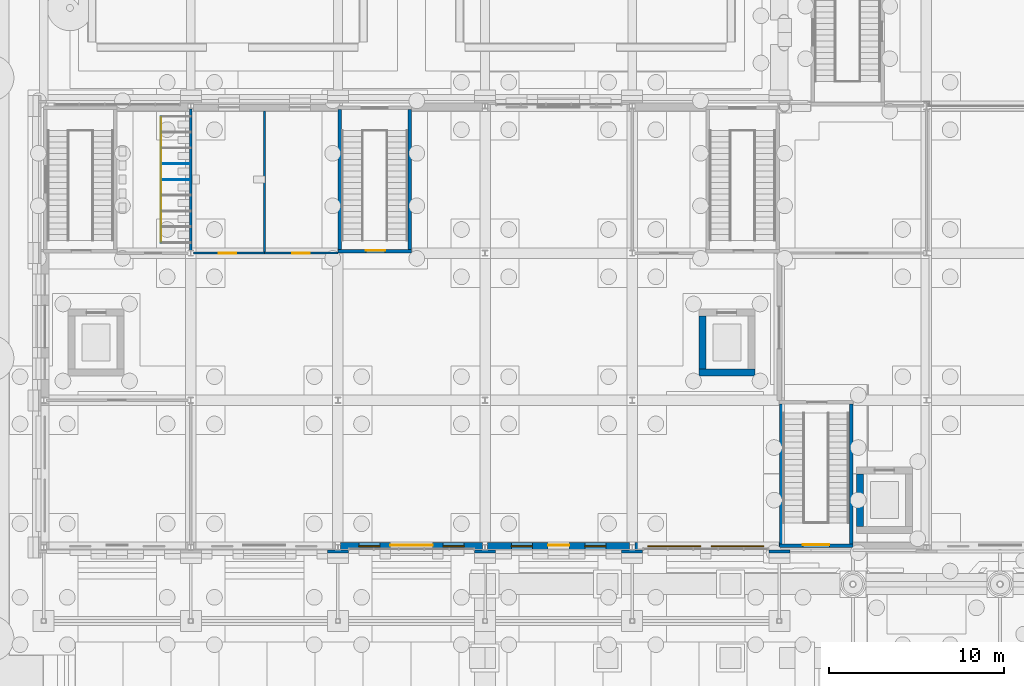
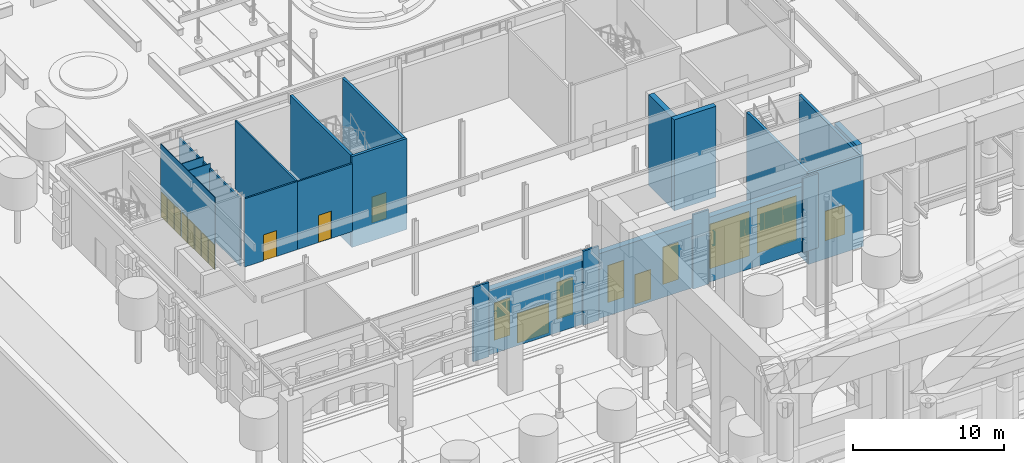
# One storey, part 89 of 222: 23 walls, 14 doors, 6 windows, 20 openings.
"""IFC4 building model written with IfcOpenShell, lengths in metres."""

from ifc_helpers import new_model, si_unit, direction, frame, frame_2d, origin, place, context, subcontext, project, spatial, rectangle, extrude, material, layer, layer_set, type_object, element, fill, save


model = new_model("IFC4")

# Units and contexts
model_context = context("Model", 3, precision=1e-05, world=origin(), true_north=direction((0.0, 1.0)))
body_context = subcontext(model_context, "Body", "Model", "MODEL_VIEW")
ifc_project = project(units=[si_unit("LENGTHUNIT", "METRE"), si_unit("AREAUNIT", "SQUARE_METRE"), si_unit("VOLUMEUNIT", "CUBIC_METRE"), si_unit("PLANEANGLEUNIT", "RADIAN"), si_unit("MASSUNIT", "GRAM", prefix="KILO")], contexts=[model_context])

# Site, building, storey
site_placement = place(None, origin())
site = spatial("IfcSite", under=ifc_project, at=site_placement, CompositionType="ELEMENT")
building_placement = place(site_placement, origin())
building = spatial("IfcBuilding", under=site, at=building_placement, Name="Sava Quay Ferry Terminal", CompositionType="ELEMENT")
storey_placement = place(building_placement, origin())
storey = spatial("IfcBuildingStorey", under=building, at=storey_placement, Name="L00", CompositionType="ELEMENT", Elevation=0.0)

# Wall, openings, doors
ifc_material_1 = material(Name="High-pressure laminate panel")
ifc_layer_1 = layer(ifc_material_1, 0.050048828125)
ifc_layer_set_1 = layer_set([ifc_layer_1], Name="High-pressure laminate panel")
wall_type_1 = type_object("IfcWallType", Name="Cubicle partition 50", PredefinedType="PARTITIONING", material=ifc_layer_set_1)
wall_1_placement = place(storey_placement, frame((6.699951171875, 42.60009765625, 0.0), z_axis=(0.0, 0.0, 1.0), x_axis=(0.0, 1.0, 0.0)))
wall_1 = element("IfcWall", 1, at=wall_1_placement, inside=storey, type_object=wall_type_1, Name="Cubicle partition panel", PredefinedType="PARTITIONING", context=body_context, shape_type="SweptSolid", body=[
    extrude(rectangle(XDim=7.199951171875, YDim=0.050048828125, at=frame_2d((3.60009765625, 0.0))), origin(), (0.0, 0.0, 1.0), 5.8701171875),
])
opening_1_placement = place(wall_1_placement, frame((0.050048828125, 0.0, 0.0)))
opening_1 = element("IfcOpeningElement", 2, at=opening_1_placement, cuts=wall_1, Name="Opening CD005", PredefinedType="OPENING", context=body_context, shape_type="SweptSolid", body=[
    extrude(rectangle(XDim=0.800048828125, YDim=2.0, at=frame_2d((0.39990234375, 1.0))), frame((0.0, 0.02490234375, 0.0), z_axis=(0.0, -1.0, 0.0), x_axis=(1.0, 0.0, 0.0)), (0.0, 0.0, 1.0), 0.050048828125),
])
opening_2_placement = place(wall_1_placement, frame((0.949951171875, 0.0, 0.0)))
opening_2 = element("IfcOpeningElement", 3, at=opening_2_placement, cuts=wall_1, Name="Opening CD006", PredefinedType="OPENING", context=body_context, shape_type="SweptSolid", body=[
    extrude(rectangle(XDim=0.800048828125, YDim=2.0, at=frame_2d((0.39990234375, 1.0))), frame((0.0, 0.02490234375, 0.0), z_axis=(0.0, -1.0, 0.0), x_axis=(1.0, 0.0, 0.0)), (0.0, 0.0, 1.0), 0.050048828125),
])
opening_3_placement = place(wall_1_placement, frame((1.85009765625, 0.0, 0.0)))
opening_3 = element("IfcOpeningElement", 4, at=opening_3_placement, cuts=wall_1, Name="Opening CD007", PredefinedType="OPENING", context=body_context, shape_type="SweptSolid", body=[
    extrude(rectangle(XDim=0.800048828125, YDim=2.0, at=frame_2d((0.39990234375, 1.0))), frame((0.0, 0.02490234375, 0.0), z_axis=(0.0, -1.0, 0.0), x_axis=(1.0, 0.0, 0.0)), (0.0, 0.0, 1.0), 0.050048828125),
])
opening_4_placement = place(wall_1_placement, frame((2.75, 0.0, 0.0)))
opening_4 = element("IfcOpeningElement", 5, at=opening_4_placement, cuts=wall_1, Name="Opening CD008", PredefinedType="OPENING", context=body_context, shape_type="SweptSolid", body=[
    extrude(rectangle(XDim=0.800048828125, YDim=2.0, at=frame_2d((0.39990234375, 1.0))), frame((0.0, 0.02490234375, 0.0), z_axis=(0.0, -1.0, 0.0), x_axis=(1.0, 0.0, 0.0)), (0.0, 0.0, 1.0), 0.050048828125),
])
opening_5_placement = place(wall_1_placement, frame((3.64990234375, 0.0, 0.0)))
opening_5 = element("IfcOpeningElement", 6, at=opening_5_placement, cuts=wall_1, Name="Opening CD009", PredefinedType="OPENING", context=body_context, shape_type="SweptSolid", body=[
    extrude(rectangle(XDim=0.800048828125, YDim=2.0, at=frame_2d((0.39990234375, 1.0))), frame((0.0, 0.02490234375, 0.0), z_axis=(0.0, -1.0, 0.0), x_axis=(1.0, 0.0, 0.0)), (0.0, 0.0, 1.0), 0.050048828125),
])
opening_6_placement = place(wall_1_placement, frame((4.550048828125, 0.0, 0.0)))
opening_6 = element("IfcOpeningElement", 7, at=opening_6_placement, cuts=wall_1, Name="Opening CD010", PredefinedType="OPENING", context=body_context, shape_type="SweptSolid", body=[
    extrude(rectangle(XDim=0.800048828125, YDim=2.0, at=frame_2d((0.39990234375, 1.0))), frame((0.0, 0.02490234375, 0.0), z_axis=(0.0, -1.0, 0.0), x_axis=(1.0, 0.0, 0.0)), (0.0, 0.0, 1.0), 0.050048828125),
])
opening_7_placement = place(wall_1_placement, frame((5.449951171875, 0.0, 0.0)))
opening_7 = element("IfcOpeningElement", 8, at=opening_7_placement, cuts=wall_1, Name="Opening CD011", PredefinedType="OPENING", context=body_context, shape_type="SweptSolid", body=[
    extrude(rectangle(XDim=0.800048828125, YDim=2.0, at=frame_2d((0.39990234375, 1.0))), frame((0.0, 0.02490234375, 0.0), z_axis=(0.0, -1.0, 0.0), x_axis=(1.0, 0.0, 0.0)), (0.0, 0.0, 1.0), 0.050048828125),
])
opening_8_placement = place(wall_1_placement, frame((6.35009765625, 0.0, 0.0)))
opening_8 = element("IfcOpeningElement", 9, at=opening_8_placement, cuts=wall_1, Name="Opening CD012", PredefinedType="OPENING", context=body_context, shape_type="SweptSolid", body=[
    extrude(rectangle(XDim=0.800048828125, YDim=2.0, at=frame_2d((0.39990234375, 1.0))), frame((0.0, 0.02490234375, 0.0), z_axis=(0.0, -1.0, 0.0), x_axis=(1.0, 0.0, 0.0)), (0.0, 0.0, 1.0), 0.050048828125),
])
ifc_material_2 = material(Name="Laminate door set")
door_type_1 = type_object("IfcDoorType", Name="Cubicle door 800 x 2000", OperationType="NOTDEFINED", PredefinedType="DOOR", material=ifc_material_2)
door_1_placement = place(opening_1_placement, origin())
door_1 = element("IfcDoor", 10, at=door_1_placement, inside=storey, type_object=door_type_1, Name="Cubicle door", OperationType="SINGLE_SWING_RIGHT", OverallHeight=2.0, OverallWidth=0.800048828125, PredefinedType="DOOR", context=body_context, shape_type="SweptSolid", body=[
    extrude(rectangle(XDim=0.800048828125, YDim=2.0, at=frame_2d((0.39990234375, 1.0))), frame((0.0, 0.02490234375, 0.0), z_axis=(0.0, -1.0, 0.0), x_axis=(1.0, 0.0, 0.0)), (0.0, 0.0, 1.0), 0.049560546875),
])
fill(opening_1, door_1)
door_2_placement = place(opening_2_placement, origin())
door_2 = element("IfcDoor", 11, at=door_2_placement, inside=storey, type_object=door_type_1, Name="Cubicle door", OperationType="SINGLE_SWING_LEFT", OverallHeight=2.0, OverallWidth=0.800048828125, PredefinedType="DOOR", context=body_context, shape_type="SweptSolid", body=[
    extrude(rectangle(XDim=0.800048828125, YDim=2.0, at=frame_2d((0.39990234375, 1.0))), frame((0.0, 0.02490234375, 0.0), z_axis=(0.0, -1.0, 0.0), x_axis=(1.0, 0.0, 0.0)), (0.0, 0.0, 1.0), 0.049560546875),
])
fill(opening_2, door_2)
door_3_placement = place(opening_3_placement, origin())
door_3 = element("IfcDoor", 12, at=door_3_placement, inside=storey, type_object=door_type_1, Name="Cubicle door", OperationType="SINGLE_SWING_RIGHT", OverallHeight=2.0, OverallWidth=0.800048828125, PredefinedType="DOOR", context=body_context, shape_type="SweptSolid", body=[
    extrude(rectangle(XDim=0.800048828125, YDim=2.0, at=frame_2d((0.39990234375, 1.0))), frame((0.0, 0.02490234375, 0.0), z_axis=(0.0, -1.0, 0.0), x_axis=(1.0, 0.0, 0.0)), (0.0, 0.0, 1.0), 0.049560546875),
])
fill(opening_3, door_3)
door_4_placement = place(opening_4_placement, origin())
door_4 = element("IfcDoor", 13, at=door_4_placement, inside=storey, type_object=door_type_1, Name="Cubicle door", OperationType="SINGLE_SWING_LEFT", OverallHeight=2.0, OverallWidth=0.800048828125, PredefinedType="DOOR", context=body_context, shape_type="SweptSolid", body=[
    extrude(rectangle(XDim=0.800048828125, YDim=2.0, at=frame_2d((0.39990234375, 1.0))), frame((0.0, 0.02490234375, 0.0), z_axis=(0.0, -1.0, 0.0), x_axis=(1.0, 0.0, 0.0)), (0.0, 0.0, 1.0), 0.049560546875),
])
fill(opening_4, door_4)
door_5_placement = place(opening_5_placement, origin())
door_5 = element("IfcDoor", 14, at=door_5_placement, inside=storey, type_object=door_type_1, Name="Cubicle door", OperationType="SINGLE_SWING_RIGHT", OverallHeight=2.0, OverallWidth=0.800048828125, PredefinedType="DOOR", context=body_context, shape_type="SweptSolid", body=[
    extrude(rectangle(XDim=0.800048828125, YDim=2.0, at=frame_2d((0.39990234375, 1.0))), frame((0.0, 0.02490234375, 0.0), z_axis=(0.0, -1.0, 0.0), x_axis=(1.0, 0.0, 0.0)), (0.0, 0.0, 1.0), 0.049560546875),
])
fill(opening_5, door_5)
door_6_placement = place(opening_6_placement, origin())
door_6 = element("IfcDoor", 15, at=door_6_placement, inside=storey, type_object=door_type_1, Name="Cubicle door", OperationType="SINGLE_SWING_LEFT", OverallHeight=2.0, OverallWidth=0.800048828125, PredefinedType="DOOR", context=body_context, shape_type="SweptSolid", body=[
    extrude(rectangle(XDim=0.800048828125, YDim=2.0, at=frame_2d((0.39990234375, 1.0))), frame((0.0, 0.02490234375, 0.0), z_axis=(0.0, -1.0, 0.0), x_axis=(1.0, 0.0, 0.0)), (0.0, 0.0, 1.0), 0.049560546875),
])
fill(opening_6, door_6)
door_7_placement = place(opening_7_placement, origin())
door_7 = element("IfcDoor", 16, at=door_7_placement, inside=storey, type_object=door_type_1, Name="Cubicle door", OperationType="SINGLE_SWING_RIGHT", OverallHeight=2.0, OverallWidth=0.800048828125, PredefinedType="DOOR", context=body_context, shape_type="SweptSolid", body=[
    extrude(rectangle(XDim=0.800048828125, YDim=2.0, at=frame_2d((0.39990234375, 1.0))), frame((0.0, 0.02490234375, 0.0), z_axis=(0.0, -1.0, 0.0), x_axis=(1.0, 0.0, 0.0)), (0.0, 0.0, 1.0), 0.049560546875),
])
fill(opening_7, door_7)
door_8_placement = place(opening_8_placement, origin())
door_8 = element("IfcDoor", 17, at=door_8_placement, inside=storey, type_object=door_type_1, Name="Cubicle door", OperationType="SINGLE_SWING_LEFT", OverallHeight=2.0, OverallWidth=0.800048828125, PredefinedType="DOOR", context=body_context, shape_type="SweptSolid", body=[
    extrude(rectangle(XDim=0.800048828125, YDim=2.0, at=frame_2d((0.39990234375, 1.0))), frame((0.0, 0.02490234375, 0.0), z_axis=(0.0, -1.0, 0.0), x_axis=(1.0, 0.0, 0.0)), (0.0, 0.0, 1.0), 0.049560546875),
])
fill(opening_8, door_8)

# Walls
for number, where, z_axis, x_axis, name in (
    (18, (8.39990234375, 46.199951171875, 0.0), (0.0, 0.0, 1.0), (-1.0, 0.0, 0.0), "Cubicle partition panel"),
    (19, (8.39990234375, 47.10009765625, 0.0), (0.0, 0.0, 1.0), (-1.0, 0.0, 0.0), "Cubicle partition panel"),
):
    element("IfcWall", number, at=place(storey_placement, frame(where, z_axis=z_axis, x_axis=x_axis)), inside=storey, type_object=wall_type_1, Name=name, PredefinedType="PARTITIONING", context=body_context, shape_type="SweptSolid", body=[
        extrude(rectangle(XDim=1.699951171875, YDim=0.050048828125, at=frame_2d((0.85009765625, 0.0))), origin(), (0.0, 0.0, 1.0), 5.8701171875),
    ])
ifc_material_3 = material(Name="Limestone Mutalj", Category="masonry")
ifc_layer_2 = layer(ifc_material_3, 0.14990234375)
ifc_layer_set_2 = layer_set([ifc_layer_2], Name="Limestone Mutalj")
wall_type_2 = type_object("IfcWallType", Name="Pier cladding 150", PredefinedType="SOLIDWALL", material=ifc_layer_set_2)
for number, where, z_axis, x_axis, name in (
    (20, (16.199951171875, 24.965087890625, 0.0), (0.0, 0.0, 1.0), (1.0, 0.0, 0.0), "Pier W-S grid 16.8"),
    (21, (24.60009765625, 24.965087890625, 0.0), (0.0, 0.0, 1.0), (1.0, 0.0, 0.0), "Pier W-S grid 25.2"),
    (22, (33.0, 24.965087890625, 0.0), (0.0, 0.0, 1.0), (1.0, 0.0, 0.0), "Pier W-S grid 33.6"),
):
    element("IfcWall", number, at=place(storey_placement, frame(where, z_axis=z_axis, x_axis=x_axis)), inside=storey, type_object=wall_type_2, Name=name, PredefinedType="SOLIDWALL", context=body_context, shape_type="SweptSolid", body=[
        extrude(rectangle(XDim=1.199951171875, YDim=0.14990234375, at=frame_2d((0.60009765625, 0.0))), origin(), (0.0, 0.0, 1.0), 6.0),
    ])
wall_2_placement = place(storey_placement, frame((41.39990234375, 24.965087890625, 0.0), z_axis=(0.0, 0.0, 1.0), x_axis=(1.0, 0.0, 0.0)))
element("IfcWall", 23, at=wall_2_placement, inside=storey, type_object=wall_type_2, Name="Pier W-S grid 42", PredefinedType="SOLIDWALL", context=body_context, shape_type="SweptSolid", body=[
    extrude(rectangle(XDim=1.2001953125, YDim=0.14990234375, at=frame_2d((0.60009765625, 0.0))), origin(), (0.0, 0.0, 1.0), 6.0),
])

# Wall, opening, door
ifc_material_4 = material(Name="Concrete C35/45", Category="concrete")
ifc_layer_3 = layer(ifc_material_4, 0.199951171875)
ifc_layer_set_3 = layer_set([ifc_layer_3], Name="Concrete C35/45")
wall_type_3 = type_object("IfcWallType", Name="RC core wall 200", PredefinedType="SHEAR", material=ifc_layer_set_3)
wall_3_placement = place(storey_placement, frame((42.0, 25.300048828125, -1.35009765625), z_axis=(0.0, 0.0, 1.0), x_axis=(1.0, 0.0, 0.0)))
wall_3 = element("IfcWall", 24, at=wall_3_placement, inside=storey, type_object=wall_type_3, Name="Core wall ST-A1 S L00", PredefinedType="SHEAR", context=body_context, shape_type="SweptSolid", body=[
    extrude(rectangle(XDim=4.199951171875, YDim=0.199951171875, at=frame_2d((2.10009765625, 0.0))), origin(), (0.0, 0.0, 1.0), 7.35009765625),
])
opening_9_placement = place(wall_3_placement, frame((1.35009765625, 0.0, 1.35009765625)))
opening_9 = element("IfcOpeningElement", 25, at=opening_9_placement, cuts=wall_3, Name="Opening DX-A4", PredefinedType="OPENING", context=body_context, shape_type="SweptSolid", body=[
    extrude(rectangle(XDim=1.5, YDim=2.39990234375, at=frame_2d((0.75, 1.199951171875))), frame((0.0, 0.10009765625, 0.0), z_axis=(0.0, -1.0, 0.0), x_axis=(1.0, 0.0, 0.0)), (0.0, 0.0, 1.0), 0.199951171875),
])
ifc_material_5 = material(Name="Aluminium bronze anodised, glazing safety laminated", Category="aluminium")
door_type_2 = type_object("IfcDoorType", Name="Exit door 1500x2400", OperationType="DOUBLE_DOOR_SINGLE_SWING", PredefinedType="DOOR", material=ifc_material_5)
door_9_placement = place(opening_9_placement, frame((1.5, 0.050048828125, 0.0), z_axis=(0.0, 0.0, 1.0), x_axis=(-1.0, 0.0, 0.0)))
door_9 = element("IfcDoor", 26, at=door_9_placement, inside=storey, type_object=door_type_2, Name="Door DX-A4", OperationType="DOUBLE_DOOR_SINGLE_SWING", OverallHeight=2.39990234375, OverallWidth=1.5, PredefinedType="DOOR", context=body_context, shape_type="SweptSolid", body=[
    extrude(rectangle(XDim=1.5, YDim=2.39990234375, at=frame_2d((0.75, 1.199951171875))), frame((0.0, 0.02490234375, 0.0), z_axis=(0.0, -1.0, 0.0), x_axis=(1.0, 0.0, 0.0)), (0.0, 0.0, 1.0), 0.050048828125),
])
fill(opening_9, door_9)

# Walls
for number, where, z_axis, x_axis, name in (
    (27, (42.10009765625, 25.39990234375, -1.35009765625), (0.0, 0.0, 1.0), (0.0, 1.0, 0.0), "Core wall ST-A1 W L00"),
    (28, (46.10009765625, 25.39990234375, -1.35009765625), (0.0, 0.0, 1.0), (0.0, 1.0, 0.0), "Core wall ST-A1 E L00"),
):
    element("IfcWall", number, at=place(storey_placement, frame(where, z_axis=z_axis, x_axis=x_axis)), inside=storey, type_object=wall_type_3, Name=name, PredefinedType="SHEAR", context=body_context, shape_type="SweptSolid", body=[
        extrude(rectangle(XDim=8.0, YDim=0.199951171875, at=frame_2d((4.0, 0.0))), origin(), (0.0, 0.0, 1.0), 7.35009765625),
    ])

# Wall, opening, door
wall_4_placement = place(storey_placement, frame((16.800048828125, 42.10009765625, -1.35009765625), z_axis=(0.0, 0.0, 1.0), x_axis=(1.0, 0.0, 0.0)))
wall_4 = element("IfcWall", 29, at=wall_4_placement, inside=storey, type_object=wall_type_3, Name="Core wall ST-W3 S L00", PredefinedType="SHEAR", context=body_context, shape_type="SweptSolid", body=[
    extrude(rectangle(XDim=4.199951171875, YDim=0.199951171875, at=frame_2d((2.10009765625, 0.0))), origin(), (0.0, 0.0, 1.0), 7.35009765625),
])
opening_10_placement = place(wall_4_placement, frame((1.60009765625, 0.0, 1.35009765625)))
opening_10 = element("IfcOpeningElement", 30, at=opening_10_placement, cuts=wall_4, Name="Opening DS0004", PredefinedType="OPENING", context=body_context, shape_type="SweptSolid", body=[
    extrude(rectangle(XDim=1.10009765625, YDim=2.10009765625, at=frame_2d((0.550048828125, 1.050048828125))), frame((0.0, 0.10009765625, 0.0), z_axis=(0.0, -1.0, 0.0), x_axis=(1.0, 0.0, 0.0)), (0.0, 0.0, 1.0), 0.199951171875),
])
ifc_material_6 = material(Name="Steel fire door set", Category="steel")
door_type_3 = type_object("IfcDoorType", Name="Stair fire door 1100 x 2100", OperationType="NOTDEFINED", PredefinedType="DOOR", material=ifc_material_6)
door_10_placement = place(opening_10_placement, frame((1.10009765625, 0.050048828125, 0.0), z_axis=(0.0, 0.0, 1.0), x_axis=(-1.0, 0.0, 0.0)))
door_10 = element("IfcDoor", 31, at=door_10_placement, inside=storey, type_object=door_type_3, Name="Door DS0004", OperationType="SINGLE_SWING_RIGHT", OverallHeight=2.10009765625, OverallWidth=1.10009765625, PredefinedType="DOOR", context=body_context, shape_type="SweptSolid", body=[
    extrude(rectangle(XDim=1.10009765625, YDim=2.10009765625, at=frame_2d((0.550048828125, 1.050048828125))), frame((0.0, 0.02490234375, 0.0), z_axis=(0.0, -1.0, 0.0), x_axis=(1.0, 0.0, 0.0)), (0.0, 0.0, 1.0), 0.050048828125),
])
fill(opening_10, door_10)

# Walls
for number, where, z_axis, x_axis, name in (
    (32, (16.89990234375, 42.199951171875, -1.35009765625), (0.0, 0.0, 1.0), (0.0, 1.0, 0.0), "Core wall ST-W3 W L00"),
    (33, (20.89990234375, 42.199951171875, -1.35009765625), (0.0, 0.0, 1.0), (0.0, 1.0, 0.0), "Core wall ST-W3 E L00"),
):
    element("IfcWall", number, at=place(storey_placement, frame(where, z_axis=z_axis, x_axis=x_axis)), inside=storey, type_object=wall_type_3, Name=name, PredefinedType="SHEAR", context=body_context, shape_type="SweptSolid", body=[
        extrude(rectangle(XDim=8.0, YDim=0.199951171875, at=frame_2d((4.0, 0.0))), origin(), (0.0, 0.0, 1.0), 7.35009765625),
    ])
ifc_material_7 = material(Name="Concrete C35/45", Category="concrete")
ifc_layer_4 = layer(ifc_material_7, 0.39990234375)
ifc_layer_set_4 = layer_set([ifc_layer_4], Name="Concrete C35/45")
wall_type_4 = type_object("IfcWallType", Name="RC core wall 400", PredefinedType="SHEAR", material=ifc_layer_set_4)
wall_5_placement = place(storey_placement, frame((46.60009765625, 26.39990234375, -1.35009765625), z_axis=(0.0, 0.0, 1.0), x_axis=(0.0, 1.0, 0.0)))
element("IfcWall", 34, at=wall_5_placement, inside=storey, type_object=wall_type_4, Name="Core wall LF-A1 W L00", PredefinedType="SHEAR", context=body_context, shape_type="SweptSolid", body=[
    extrude(rectangle(XDim=3.0, YDim=0.39990234375, at=frame_2d((1.5, 0.0))), origin(), (0.0, 0.0, 1.0), 7.35009765625),
])
wall_6_placement = place(storey_placement, frame((37.39990234375, 35.199951171875, -1.35009765625), z_axis=(0.0, 0.0, 1.0), x_axis=(1.0, 0.0, 0.0)))
element("IfcWall", 35, at=wall_6_placement, inside=storey, type_object=wall_type_4, Name="Core wall LF-W2 S L00", PredefinedType="SHEAR", context=body_context, shape_type="SweptSolid", body=[
    extrude(rectangle(XDim=3.2001953125, YDim=0.39990234375, at=frame_2d((1.60009765625, 0.0))), origin(), (0.0, 0.0, 1.0), 7.35009765625),
])
wall_7_placement = place(storey_placement, frame((37.60009765625, 35.39990234375, -1.35009765625), z_axis=(0.0, 0.0, 1.0), x_axis=(0.0, 1.0, 0.0)))
element("IfcWall", 36, at=wall_7_placement, inside=storey, type_object=wall_type_4, Name="Core wall LF-W2 W L00", PredefinedType="SHEAR", context=body_context, shape_type="SweptSolid", body=[
    extrude(rectangle(XDim=3.0, YDim=0.39990234375, at=frame_2d((1.5, 0.0))), origin(), (0.0, 0.0, 1.0), 7.35009765625),
])

# Wall, opening, door
ifc_material_8 = material(Name="Plasterboard on steel studs", Category="steel")
ifc_layer_5 = layer(ifc_material_8, 0.125)
ifc_layer_set_5 = layer_set([ifc_layer_5], Name="Plasterboard on steel studs")
wall_type_5 = type_object("IfcWallType", Name="Room partition, plasterboard on steel studs 125", PredefinedType="PARTITIONING", material=ifc_layer_set_5)
wall_8_placement = place(storey_placement, frame((12.60009765625, 42.0, 0.0), z_axis=(0.0, 0.0, 1.0), x_axis=(1.0, 0.0, 0.0)))
wall_8 = element("IfcWall", 37, at=wall_8_placement, inside=storey, type_object=wall_type_5, Name="Room partition, plasterboard on steel studs 125", PredefinedType="PARTITIONING", context=body_context, shape_type="SweptSolid", body=[
    extrude(rectangle(XDim=4.199951171875, YDim=0.125, at=frame_2d((2.10009765625, 0.0))), origin(), (0.0, 0.0, 1.0), 5.47998046875),
])
opening_11_placement = place(wall_8_placement, frame((1.60009765625, 0.0, 0.0)))
opening_11 = element("IfcOpeningElement", 38, at=opening_11_placement, cuts=wall_8, Name="Opening D0008", PredefinedType="OPENING", context=body_context, shape_type="SweptSolid", body=[
    extrude(rectangle(XDim=1.0, YDim=2.199951171875, at=frame_2d((0.5, 1.10009765625))), frame((0.0, 0.0625, 0.0), z_axis=(0.0, -1.0, 0.0), x_axis=(1.0, 0.0, 0.0)), (0.0, 0.0, 1.0), 0.125),
])
ifc_material_9 = material(Name="Timber door set", Category="wood")
door_type_4 = type_object("IfcDoorType", Name="Single door 1000 x 2200", OperationType="NOTDEFINED", PredefinedType="DOOR", material=ifc_material_9)
door_11_placement = place(opening_11_placement, origin())
door_11 = element("IfcDoor", 39, at=door_11_placement, inside=storey, type_object=door_type_4, Name="Door D0008", OperationType="SINGLE_SWING_LEFT", OverallHeight=2.199951171875, OverallWidth=1.0, PredefinedType="DOOR", context=body_context, shape_type="SweptSolid", body=[
    extrude(rectangle(XDim=1.0, YDim=2.199951171875, at=frame_2d((0.5, 1.10009765625))), frame((0.0, 0.02490234375, 0.0), z_axis=(0.0, -1.0, 0.0), x_axis=(1.0, 0.0, 0.0)), (0.0, 0.0, 1.0), 0.050048828125),
])
fill(opening_11, door_11)

# Wall, openings, door, windows
ifc_material_10 = material(Name="Limestone Mutalj", Category="masonry")
ifc_layer_6 = layer(ifc_material_10, 0.449951171875)
ifc_layer_set_6 = layer_set([ifc_layer_6], Name="Limestone Mutalj")
wall_type_6 = type_object("IfcWallType", Name="Rusticated limestone infill 450", PredefinedType="SOLIDWALL", material=ifc_layer_set_6)
wall_9_placement = place(storey_placement, frame((16.949951171875, 25.264892578125, 0.0), z_axis=(0.0, 0.0, 1.0), x_axis=(1.0, 0.0, 0.0)))
wall_9 = element("IfcWall", 40, at=wall_9_placement, inside=storey, type_object=wall_type_6, Name="External wall W-S", PredefinedType="SOLIDWALL", context=body_context, shape_type="SweptSolid", body=[
    extrude(rectangle(XDim=8.10009765625, YDim=0.449951171875, at=frame_2d((4.050048828125, 0.0))), origin(), (0.0, 0.0, 1.0), 5.25),
])
opening_12_placement = place(wall_9_placement, frame((2.85009765625, 0.0, 0.0)))
opening_12 = element("IfcOpeningElement", 41, at=opening_12_placement, cuts=wall_9, Name="Opening DX-W7", PredefinedType="OPENING", context=body_context, shape_type="SweptSolid", body=[
    extrude(rectangle(XDim=2.39990234375, YDim=2.39990234375, at=frame_2d((1.199951171875, 1.199951171875))), frame((0.0, 0.22509765625, 0.0), z_axis=(0.0, -1.0, 0.0), x_axis=(1.0, 0.0, 0.0)), (0.0, 0.0, 1.0), 0.449951171875),
])
opening_13_placement = place(wall_9_placement, frame((1.050048828125, 0.0, 0.89990234375)))
opening_13 = element("IfcOpeningElement", 42, at=opening_13_placement, cuts=wall_9, Name="Opening W-E1", PredefinedType="OPENING", context=body_context, shape_type="SweptSolid", body=[
    extrude(rectangle(XDim=1.199951171875, YDim=3.0, at=frame_2d((0.60009765625, 1.5))), frame((0.0, 0.22509765625, 0.0), z_axis=(0.0, -1.0, 0.0), x_axis=(1.0, 0.0, 0.0)), (0.0, 0.0, 1.0), 0.449951171875),
])
opening_14_placement = place(wall_9_placement, frame((5.85009765625, 0.0, 0.89990234375)))
opening_14 = element("IfcOpeningElement", 43, at=opening_14_placement, cuts=wall_9, Name="Opening W-E1", PredefinedType="OPENING", context=body_context, shape_type="SweptSolid", body=[
    extrude(rectangle(XDim=1.199951171875, YDim=3.0, at=frame_2d((0.60009765625, 1.5))), frame((0.0, 0.22509765625, 0.0), z_axis=(0.0, -1.0, 0.0), x_axis=(1.0, 0.0, 0.0)), (0.0, 0.0, 1.0), 0.449951171875),
])
ifc_material_11 = material(Name="Aluminium bronze anodised, glazing safety laminated", Category="aluminium")
door_type_5 = type_object("IfcDoorType", Name="Entrance double door 2400x2400", OperationType="DOUBLE_DOOR_SINGLE_SWING", PredefinedType="DOOR", material=ifc_material_11)
door_12_placement = place(opening_12_placement, frame((2.39990234375, 0.050048828125, 0.0), z_axis=(0.0, 0.0, 1.0), x_axis=(-1.0, 0.0, 0.0)))
door_12 = element("IfcDoor", 44, at=door_12_placement, inside=storey, type_object=door_type_5, Name="Door DX-W7", OperationType="DOUBLE_DOOR_SINGLE_SWING", OverallHeight=2.39990234375, OverallWidth=2.39990234375, PredefinedType="DOOR", context=body_context, shape_type="SweptSolid", body=[
    extrude(rectangle(XDim=2.39990234375, YDim=2.39990234375, at=frame_2d((1.199951171875, 1.199951171875))), frame((0.0, 0.02490234375, 0.0), z_axis=(0.0, -1.0, 0.0), x_axis=(1.0, 0.0, 0.0)), (0.0, 0.0, 1.0), 0.050048828125),
])
fill(opening_12, door_12)
ifc_material_12 = material(Name="Aluminium bronze anodised frame, glazing double low-e Ug 1.1", Category="aluminium")
window_type_1 = type_object("IfcWindowType", Name="Entrance sidelight 1200x3000", PartitioningType="SINGLE_PANEL", PredefinedType="WINDOW", material=ifc_material_12)
window_1_placement = place(opening_13_placement, origin())
window_1 = element("IfcWindow", 45, at=window_1_placement, inside=storey, type_object=window_type_1, Name="Window W-E1", OverallHeight=3.0, OverallWidth=1.199951171875, PartitioningType="SINGLE_PANEL", PredefinedType="WINDOW", context=body_context, shape_type="SweptSolid", body=[
    extrude(rectangle(XDim=1.199951171875, YDim=3.0, at=frame_2d((0.60009765625, 1.5))), frame((0.0, 0.030029296875, 0.0), z_axis=(0.0, -1.0, 0.0), x_axis=(1.0, 0.0, 0.0)), (0.0, 0.0, 1.0), 0.06005859375),
])
fill(opening_13, window_1)
window_2_placement = place(opening_14_placement, origin())
window_2 = element("IfcWindow", 46, at=window_2_placement, inside=storey, type_object=window_type_1, Name="Window W-E1", OverallHeight=3.0, OverallWidth=1.199951171875, PartitioningType="SINGLE_PANEL", PredefinedType="WINDOW", context=body_context, shape_type="SweptSolid", body=[
    extrude(rectangle(XDim=1.199951171875, YDim=3.0, at=frame_2d((0.60009765625, 1.5))), frame((0.0, 0.030029296875, 0.0), z_axis=(0.0, -1.0, 0.0), x_axis=(1.0, 0.0, 0.0)), (0.0, 0.0, 1.0), 0.06005859375),
])
fill(opening_14, window_2)

# Wall, openings, windows, door
wall_10_placement = place(storey_placement, frame((25.35009765625, 25.264892578125, 0.0), z_axis=(0.0, 0.0, 1.0), x_axis=(1.0, 0.0, 0.0)))
wall_10 = element("IfcWall", 47, at=wall_10_placement, inside=storey, type_object=wall_type_6, Name="External wall W-S", PredefinedType="SOLIDWALL", context=body_context, shape_type="SweptSolid", body=[
    extrude(rectangle(XDim=8.099853515625, YDim=0.449951171875, at=frame_2d((4.0498046875, 0.0))), origin(), (0.0, 0.0, 1.0), 5.25),
])
opening_15_placement = place(wall_10_placement, frame((3.449951171875, 0.0, 0.0)))
opening_15 = element("IfcOpeningElement", 48, at=opening_15_placement, cuts=wall_10, Name="Opening DX-W9", PredefinedType="OPENING", context=body_context, shape_type="SweptSolid", body=[
    extrude(rectangle(XDim=1.199951171875, YDim=2.39990234375, at=frame_2d((0.60009765625, 1.199951171875))), frame((0.0, 0.22509765625, 0.0), z_axis=(0.0, -1.0, 0.0), x_axis=(1.0, 0.0, 0.0)), (0.0, 0.0, 1.0), 0.449951171875),
])
opening_16_placement = place(wall_10_placement, frame((1.35009765625, 0.0, 0.89990234375)))
opening_16 = element("IfcOpeningElement", 49, at=opening_16_placement, cuts=wall_10, Name="Opening W-E1", PredefinedType="OPENING", context=body_context, shape_type="SweptSolid", body=[
    extrude(rectangle(XDim=1.199951171875, YDim=3.0, at=frame_2d((0.60009765625, 1.5))), frame((0.0, 0.22509765625, 0.0), z_axis=(0.0, -1.0, 0.0), x_axis=(1.0, 0.0, 0.0)), (0.0, 0.0, 1.0), 0.449951171875),
])
opening_17_placement = place(wall_10_placement, frame((5.550048828125, 0.0, 0.89990234375)))
opening_17 = element("IfcOpeningElement", 50, at=opening_17_placement, cuts=wall_10, Name="Opening W-E1", PredefinedType="OPENING", context=body_context, shape_type="SweptSolid", body=[
    extrude(rectangle(XDim=1.199951171875, YDim=3.0, at=frame_2d((0.60009765625, 1.5))), frame((0.0, 0.22509765625, 0.0), z_axis=(0.0, -1.0, 0.0), x_axis=(1.0, 0.0, 0.0)), (0.0, 0.0, 1.0), 0.449951171875),
])
window_3_placement = place(opening_16_placement, origin())
window_3 = element("IfcWindow", 51, at=window_3_placement, inside=storey, type_object=window_type_1, Name="Window W-E1", OverallHeight=3.0, OverallWidth=1.199951171875, PartitioningType="SINGLE_PANEL", PredefinedType="WINDOW", context=body_context, shape_type="SweptSolid", body=[
    extrude(rectangle(XDim=1.199951171875, YDim=3.0, at=frame_2d((0.60009765625, 1.5))), frame((0.0, 0.030029296875, 0.0), z_axis=(0.0, -1.0, 0.0), x_axis=(1.0, 0.0, 0.0)), (0.0, 0.0, 1.0), 0.06005859375),
])
fill(opening_16, window_3)
window_4_placement = place(opening_17_placement, origin())
window_4 = element("IfcWindow", 52, at=window_4_placement, inside=storey, type_object=window_type_1, Name="Window W-E1", OverallHeight=3.0, OverallWidth=1.199951171875, PartitioningType="SINGLE_PANEL", PredefinedType="WINDOW", context=body_context, shape_type="SweptSolid", body=[
    extrude(rectangle(XDim=1.199951171875, YDim=3.0, at=frame_2d((0.60009765625, 1.5))), frame((0.0, 0.030029296875, 0.0), z_axis=(0.0, -1.0, 0.0), x_axis=(1.0, 0.0, 0.0)), (0.0, 0.0, 1.0), 0.06005859375),
])
fill(opening_17, window_4)
ifc_material_13 = material(Name="Aluminium bronze anodised, glazing safety laminated", Category="aluminium")
door_type_6 = type_object("IfcDoorType", Name="Service door 1200x2400", OperationType="NOTDEFINED", PredefinedType="DOOR", material=ifc_material_13)
door_13_placement = place(opening_15_placement, frame((1.199951171875, 0.050048828125, 0.0), z_axis=(0.0, 0.0, 1.0), x_axis=(-1.0, 0.0, 0.0)))
door_13 = element("IfcDoor", 53, at=door_13_placement, inside=storey, type_object=door_type_6, Name="Door DX-W9", OperationType="SINGLE_SWING_LEFT", OverallHeight=2.39990234375, OverallWidth=1.199951171875, PredefinedType="DOOR", context=body_context, shape_type="SweptSolid", body=[
    extrude(rectangle(XDim=1.199951171875, YDim=2.39990234375, at=frame_2d((0.60009765625, 1.199951171875))), frame((0.0, 0.02490234375, 0.0), z_axis=(0.0, -1.0, 0.0), x_axis=(1.0, 0.0, 0.0)), (0.0, 0.0, 1.0), 0.050048828125),
])
fill(opening_15, door_13)

# Wall, openings, windows
wall_11_placement = place(storey_placement, frame((33.75, 25.264892578125, 0.0), z_axis=(0.0, 0.0, 1.0), x_axis=(1.0, 0.0, 0.0)))
wall_11 = element("IfcWall", 54, at=wall_11_placement, inside=storey, type_object=wall_type_6, Name="External wall W-S", PredefinedType="SOLIDWALL", context=body_context, shape_type="SweptSolid", body=[
    extrude(rectangle(XDim=8.25, YDim=0.449951171875, at=frame_2d((4.125, 0.0))), origin(), (0.0, 0.0, 1.0), 5.25),
])
opening_18_placement = place(wall_11_placement, frame((0.75, 0.0, 0.89990234375)))
opening_18 = element("IfcOpeningElement", 55, at=opening_18_placement, cuts=wall_11, Name="Opening W-A", PredefinedType="OPENING", context=body_context, shape_type="SweptSolid", body=[
    extrude(rectangle(XDim=3.0, YDim=3.60009765625, at=frame_2d((1.5, 1.800048828125))), frame((0.0, 0.22509765625, 0.0), z_axis=(0.0, -1.0, 0.0), x_axis=(1.0, 0.0, 0.0)), (0.0, 0.0, 1.0), 0.449951171875),
])
opening_19_placement = place(wall_11_placement, frame((4.35009765625, 0.0, 0.89990234375)))
opening_19 = element("IfcOpeningElement", 56, at=opening_19_placement, cuts=wall_11, Name="Opening W-A", PredefinedType="OPENING", context=body_context, shape_type="SweptSolid", body=[
    extrude(rectangle(XDim=3.0, YDim=3.60009765625, at=frame_2d((1.5, 1.800048828125))), frame((0.0, 0.22509765625, 0.0), z_axis=(0.0, -1.0, 0.0), x_axis=(1.0, 0.0, 0.0)), (0.0, 0.0, 1.0), 0.449951171875),
])
ifc_material_14 = material(Name="Aluminium bronze anodised frame, glazing double low-e Ug 1.1", Category="aluminium")
window_type_2 = type_object("IfcWindowType", Name="Tall ordered window 3000x3600", PartitioningType="SINGLE_PANEL", PredefinedType="WINDOW", material=ifc_material_14)
window_5_placement = place(opening_18_placement, origin())
window_5 = element("IfcWindow", 57, at=window_5_placement, inside=storey, type_object=window_type_2, Name="Window W-A", OverallHeight=3.60009765625, OverallWidth=3.0, PartitioningType="SINGLE_PANEL", PredefinedType="WINDOW", context=body_context, shape_type="SweptSolid", body=[
    extrude(rectangle(XDim=3.0, YDim=3.60009765625, at=frame_2d((1.5, 1.800048828125))), frame((0.0, 0.030029296875, 0.0), z_axis=(0.0, -1.0, 0.0), x_axis=(1.0, 0.0, 0.0)), (0.0, 0.0, 1.0), 0.06005859375),
])
fill(opening_18, window_5)
window_6_placement = place(opening_19_placement, origin())
window_6 = element("IfcWindow", 58, at=window_6_placement, inside=storey, type_object=window_type_2, Name="Window W-A", OverallHeight=3.60009765625, OverallWidth=3.0, PartitioningType="SINGLE_PANEL", PredefinedType="WINDOW", context=body_context, shape_type="SweptSolid", body=[
    extrude(rectangle(XDim=3.0, YDim=3.60009765625, at=frame_2d((1.5, 1.800048828125))), frame((0.0, 0.030029296875, 0.0), z_axis=(0.0, -1.0, 0.0), x_axis=(1.0, 0.0, 0.0)), (0.0, 0.0, 1.0), 0.06005859375),
])
fill(opening_19, window_6)

# Wall, opening, door
ifc_material_15 = material(Name="Moisture-resistant board on steel studs", Category="steel")
ifc_layer_7 = layer(ifc_material_15, 0.125)
ifc_layer_set_7 = layer_set([ifc_layer_7], Name="Moisture-resistant board on steel studs")
wall_type_7 = type_object("IfcWallType", Name="Toilet partition, moisture-resistant board 125", PredefinedType="PARTITIONING", material=ifc_layer_set_7)
wall_12_placement = place(storey_placement, frame((8.550048828125, 42.0, 0.0), z_axis=(0.0, 0.0, 1.0), x_axis=(1.0, 0.0, 0.0)))
wall_12 = element("IfcWall", 59, at=wall_12_placement, inside=storey, type_object=wall_type_7, Name="Toilet partition, moisture-resistant board 125", PredefinedType="PARTITIONING", context=body_context, shape_type="SweptSolid", body=[
    extrude(rectangle(XDim=4.050048828125, YDim=0.125, at=frame_2d((2.02490234375, 0.0))), origin(), (0.0, 0.0, 1.0), 5.510009765625),
])
opening_20_placement = place(wall_12_placement, frame((1.449951171875, 0.0, 0.0)))
opening_20 = element("IfcOpeningElement", 60, at=opening_20_placement, cuts=wall_12, Name="Opening D0007", PredefinedType="OPENING", context=body_context, shape_type="SweptSolid", body=[
    extrude(rectangle(XDim=1.0, YDim=2.10009765625, at=frame_2d((0.5, 1.050048828125))), frame((0.0, 0.0625, 0.0), z_axis=(0.0, -1.0, 0.0), x_axis=(1.0, 0.0, 0.0)), (0.0, 0.0, 1.0), 0.125),
])
ifc_material_16 = material(Name="Laminate door set")
door_type_7 = type_object("IfcDoorType", Name="Accessible toilet door 1000 x 2100", OperationType="NOTDEFINED", PredefinedType="DOOR", material=ifc_material_16)
door_14_placement = place(opening_20_placement, origin())
door_14 = element("IfcDoor", 61, at=door_14_placement, inside=storey, type_object=door_type_7, Name="Door D0007", OperationType="SINGLE_SWING_RIGHT", OverallHeight=2.10009765625, OverallWidth=1.0, PredefinedType="DOOR", context=body_context, shape_type="SweptSolid", body=[
    extrude(rectangle(XDim=1.0, YDim=2.10009765625, at=frame_2d((0.5, 1.050048828125))), frame((0.0, 0.02490234375, 0.0), z_axis=(0.0, -1.0, 0.0), x_axis=(1.0, 0.0, 0.0)), (0.0, 0.0, 1.0), 0.050048828125),
])
fill(opening_20, door_14)

# Walls
wall_13_placement = place(storey_placement, frame((8.39990234375, 42.159912109375, 0.0), z_axis=(0.0, 0.0, 1.0), x_axis=(0.0, 1.0, 0.0)))
element("IfcWall", 62, at=wall_13_placement, inside=storey, type_object=wall_type_7, Name="Toilet partition, moisture-resistant board 125", PredefinedType="PARTITIONING", context=body_context, shape_type="SweptSolid", body=[
    extrude(rectangle(XDim=8.080078125, YDim=0.125, at=frame_2d((4.0400390625, 0.0))), origin(), (0.0, 0.0, 1.0), 5.47998046875),
])
wall_14_placement = place(storey_placement, frame((12.60009765625, 42.0, 0.0), z_axis=(0.0, 0.0, 1.0), x_axis=(0.0, 1.0, 0.0)))
element("IfcWall", 63, at=wall_14_placement, inside=storey, type_object=wall_type_7, Name="Toilet partition, moisture-resistant board 125", PredefinedType="PARTITIONING", context=body_context, shape_type="SweptSolid", body=[
    extrude(rectangle(XDim=8.109619140625, YDim=0.125, at=frame_2d((4.0546875, 0.0))), origin(), (0.0, 0.0, 1.0), 5.510009765625),
])

save(model, "model.ifc")
